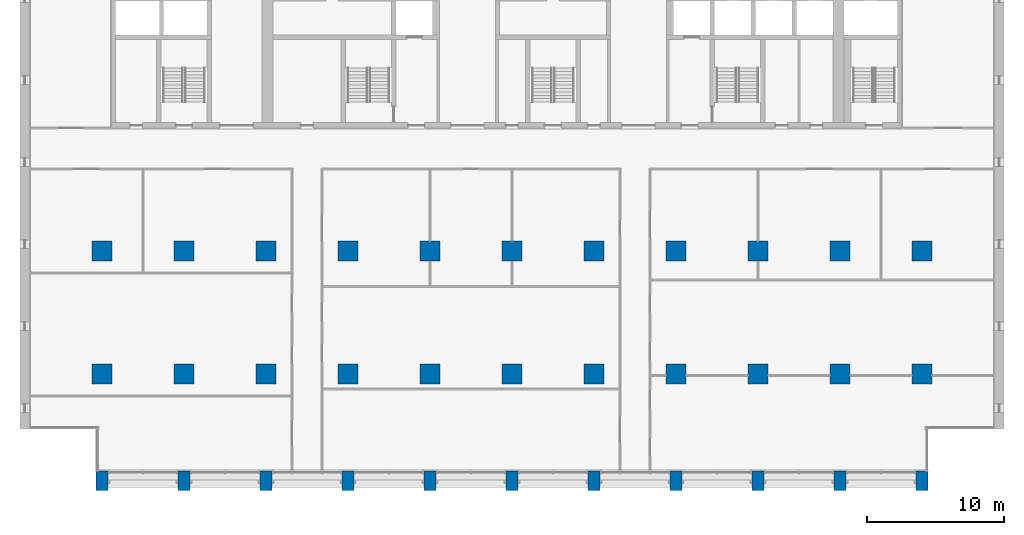
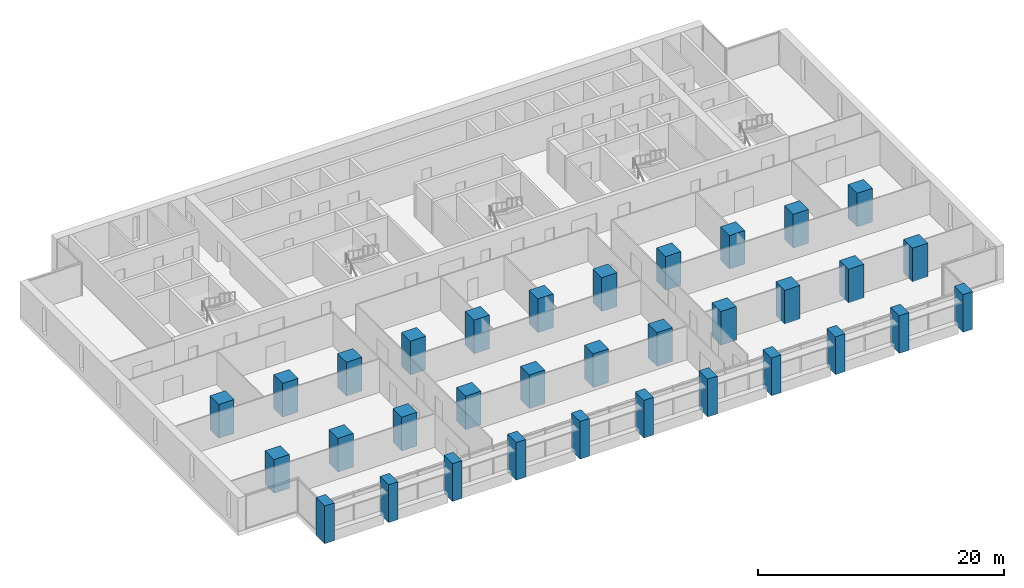
# One storey, part 1 of 17: 33 columns.
"""IFC4 building model written with IfcOpenShell, lengths in metres."""

from ifc_helpers import new_model, si_unit, direction, frame, origin, origin_2d, place, context, subcontext, project, spatial, rectangle, extrude, material, material_profile, profile_set, type_object, element, save


model = new_model("IFC4")

# Units and contexts
model_context = context("Model", 3, precision=1e-05, world=origin(), true_north=direction((0.0, 1.0)))
body_context = subcontext(model_context, "Body", "Model", "MODEL_VIEW")
ifc_project = project(units=[si_unit("LENGTHUNIT", "METRE"), si_unit("AREAUNIT", "SQUARE_METRE"), si_unit("VOLUMEUNIT", "CUBIC_METRE"), si_unit("PLANEANGLEUNIT", "RADIAN"), si_unit("MASSUNIT", "GRAM", prefix="KILO")], contexts=[model_context])

# Site, building, storey
site_placement = place(None, origin())
site = spatial("IfcSite", under=ifc_project, at=site_placement, CompositionType="ELEMENT")
building_placement = place(site_placement, origin())
building = spatial("IfcBuilding", under=site, at=building_placement, Name="Calvaro Tower", CompositionType="ELEMENT")
storey_placement = place(building_placement, frame((0.0, 0.0, 98.75)))
storey = spatial("IfcBuildingStorey", under=building, at=storey_placement, Name="L24", CompositionType="ELEMENT", Elevation=98.75)

# Columns
ifc_material_1 = material(Name="Concrete C60/75", Category="concrete")
ifc_material_profile_1 = material_profile(ifc_material_1, rectangle(XDim=1.449951171875, YDim=1.449951171875, at=origin_2d()), Name="RC 1450x1450")
ifc_profile_set_1 = profile_set([ifc_material_profile_1], Name="Concrete C60/75")
column_type_1 = type_object("IfcColumnType", Name="Column 1450x1450 C60/75", PredefinedType="COLUMN", material=ifc_profile_set_1)
for number, where, z_axis, x_axis, name in (
    (1, (6.0, 10.0, 0.0), (0.0, 0.0, 1.0), (1.0, 0.0, 0.0), "Column 2B"),
    (2, (6.0, 19.0, 0.0), (0.0, 0.0, 1.0), (1.0, 0.0, 0.0), "Column 2C"),
    (3, (12.0, 10.0, 0.0), (0.0, 0.0, 1.0), (1.0, 0.0, 0.0), "Column 3B"),
    (4, (12.0, 19.0, 0.0), (0.0, 0.0, 1.0), (1.0, 0.0, 0.0), "Column 3C"),
    (5, (18.0, 10.0, 0.0), (0.0, 0.0, 1.0), (1.0, 0.0, 0.0), "Column 4B"),
    (6, (18.0, 19.0, 0.0), (0.0, 0.0, 1.0), (1.0, 0.0, 0.0), "Column 4C"),
    (7, (24.0, 10.0, 0.0), (0.0, 0.0, 1.0), (1.0, 0.0, 0.0), "Column 5B"),
    (8, (24.0, 19.0, 0.0), (0.0, 0.0, 1.0), (1.0, 0.0, 0.0), "Column 5C"),
    (9, (30.0, 10.0, 0.0), (0.0, 0.0, 1.0), (1.0, 0.0, 0.0), "Column 6B"),
    (10, (30.0, 19.0, 0.0), (0.0, 0.0, 1.0), (1.0, 0.0, 0.0), "Column 6C"),
    (11, (36.0, 10.0, 0.0), (0.0, 0.0, 1.0), (1.0, 0.0, 0.0), "Column 7B"),
    (12, (36.0, 19.0, 0.0), (0.0, 0.0, 1.0), (1.0, 0.0, 0.0), "Column 7C"),
    (13, (42.0, 10.0, 0.0), (0.0, 0.0, 1.0), (1.0, 0.0, 0.0), "Column 8B"),
    (14, (42.0, 19.0, 0.0), (0.0, 0.0, 1.0), (1.0, 0.0, 0.0), "Column 8C"),
    (15, (48.0, 10.0, 0.0), (0.0, 0.0, 1.0), (1.0, 0.0, 0.0), "Column 9B"),
    (16, (48.0, 19.0, 0.0), (0.0, 0.0, 1.0), (1.0, 0.0, 0.0), "Column 9C"),
    (17, (54.0, 10.0, 0.0), (0.0, 0.0, 1.0), (1.0, 0.0, 0.0), "Column 10B"),
    (18, (54.0, 19.0, 0.0), (0.0, 0.0, 1.0), (1.0, 0.0, 0.0), "Column 10C"),
    (19, (60.0, 10.0, 0.0), (0.0, 0.0, 1.0), (1.0, 0.0, 0.0), "Column 11B"),
    (20, (60.0, 19.0, 0.0), (0.0, 0.0, 1.0), (1.0, 0.0, 0.0), "Column 11C"),
    (21, (66.0, 10.0, 0.0), (0.0, 0.0, 1.0), (1.0, 0.0, 0.0), "Column 12B"),
    (22, (66.0, 19.0, 0.0), (0.0, 0.0, 1.0), (1.0, 0.0, 0.0), "Column 12C"),
):
    element("IfcColumn", number, at=place(storey_placement, frame(where, z_axis=z_axis, x_axis=x_axis)), inside=storey, type_object=column_type_1, Name=name, PredefinedType="COLUMN", context=body_context, shape_type="SweptSolid", body=[
        extrude(rectangle(XDim=1.449951171875, YDim=1.449951171875, at=origin_2d()), origin(), (0.0, 0.0, 1.0), 3.35009765625),
    ])
ifc_material_2 = material(Name="Concrete C60/75", Category="concrete")
ifc_material_profile_2 = material_profile(ifc_material_2, rectangle(XDim=0.89990234375, YDim=1.39990234375, at=origin_2d()), Name="RC 900x1400")
ifc_profile_set_2 = profile_set([ifc_material_profile_2], Name="Concrete C60/75")
column_type_2 = type_object("IfcColumnType", Name="Pier 900x1400 C60/75", PredefinedType="COLUMN", material=ifc_profile_set_2)
for number, where, z_axis, x_axis, name in (
    (23, (6.0, 2.199951171875, -0.39990234375), (0.0, 0.0, 1.0), (1.0, 0.0, 0.0), "South pier 2"),
    (24, (12.0, 2.199951171875, -0.39990234375), (0.0, 0.0, 1.0), (1.0, 0.0, 0.0), "South pier 3"),
    (25, (18.0, 2.199951171875, -0.39990234375), (0.0, 0.0, 1.0), (1.0, 0.0, 0.0), "South pier 4"),
    (26, (24.0, 2.199951171875, -0.39990234375), (0.0, 0.0, 1.0), (1.0, 0.0, 0.0), "South pier 5"),
    (27, (30.0, 2.199951171875, -0.39990234375), (0.0, 0.0, 1.0), (1.0, 0.0, 0.0), "South pier 6"),
    (28, (36.0, 2.199951171875, -0.39990234375), (0.0, 0.0, 1.0), (1.0, 0.0, 0.0), "South pier 7"),
    (29, (42.0, 2.199951171875, -0.39990234375), (0.0, 0.0, 1.0), (1.0, 0.0, 0.0), "South pier 8"),
    (30, (48.0, 2.199951171875, -0.39990234375), (0.0, 0.0, 1.0), (1.0, 0.0, 0.0), "South pier 9"),
    (31, (54.0, 2.199951171875, -0.39990234375), (0.0, 0.0, 1.0), (1.0, 0.0, 0.0), "South pier 10"),
    (32, (60.0, 2.199951171875, -0.39990234375), (0.0, 0.0, 1.0), (1.0, 0.0, 0.0), "South pier 11"),
    (33, (66.0, 2.199951171875, -0.39990234375), (0.0, 0.0, 1.0), (1.0, 0.0, 0.0), "South pier 12"),
):
    element("IfcColumn", number, at=place(storey_placement, frame(where, z_axis=z_axis, x_axis=x_axis)), inside=storey, type_object=column_type_2, Name=name, PredefinedType="COLUMN", context=body_context, shape_type="SweptSolid", body=[
        extrude(rectangle(XDim=0.89990234375, YDim=1.39990234375, at=origin_2d()), origin(), (0.0, 0.0, 1.0), 3.75),
    ])

save(model, "model.ifc")
